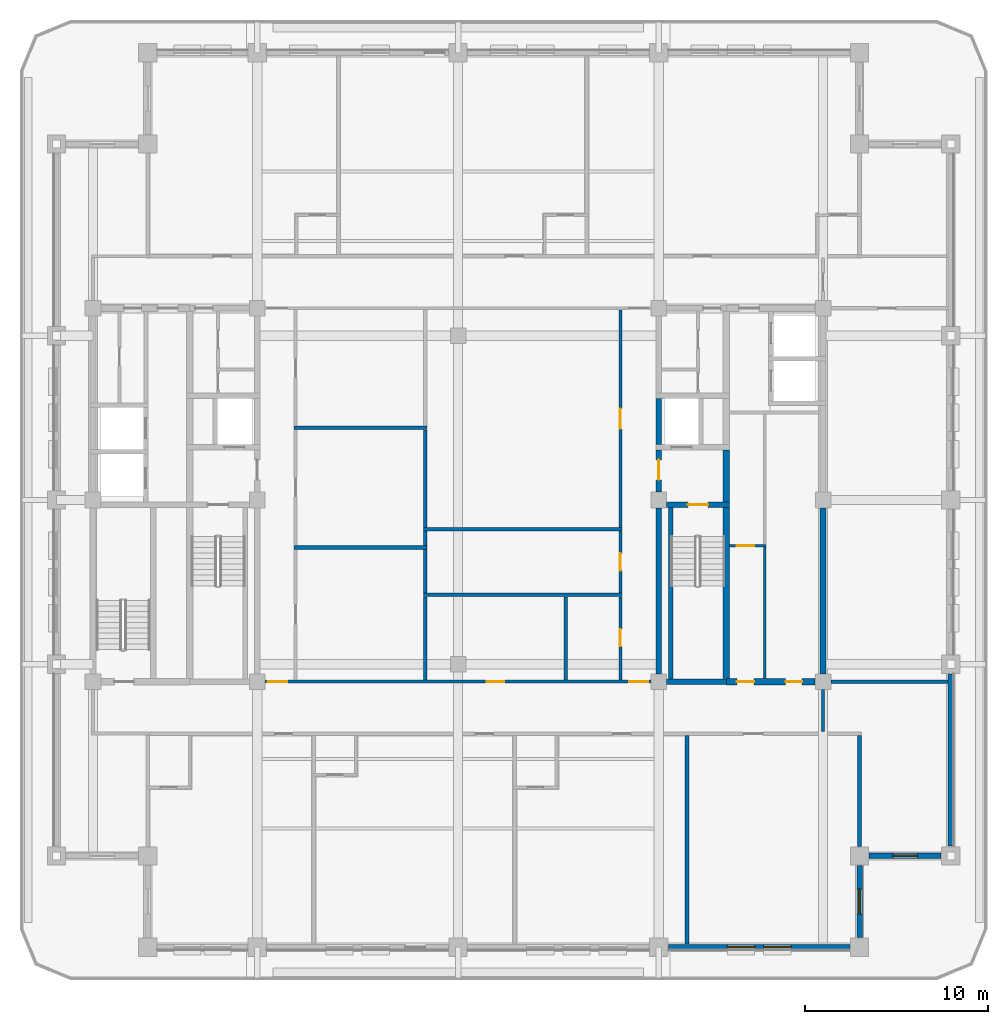
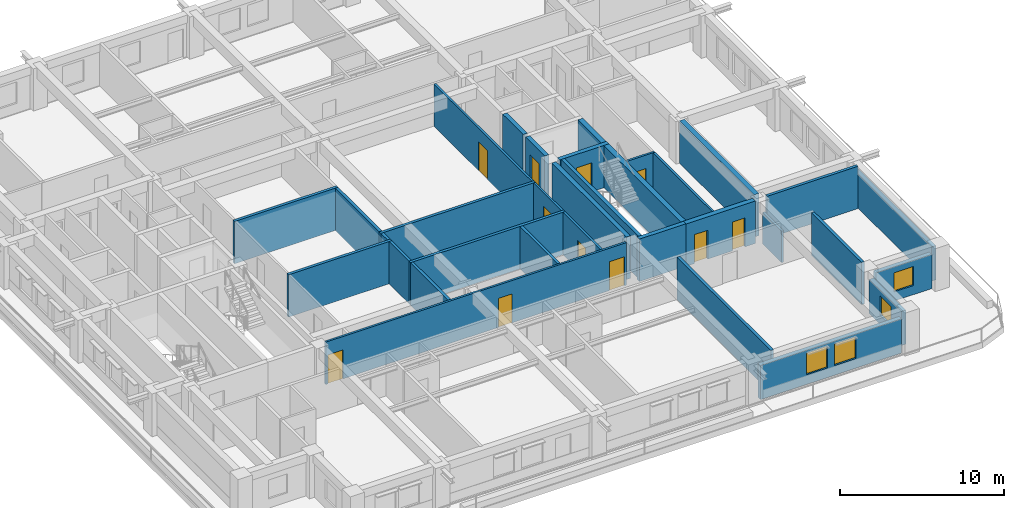
# One storey, part 4 of 13: 33 walls, 11 doors, 4 windows, 15 openings.
"""IFC4 building model written with IfcOpenShell, lengths in metres."""

from ifc_helpers import new_model, si_unit, direction, frame, frame_2d, origin, place, context, subcontext, project, spatial, rectangle, extrude, material, layer, layer_set, type_object, element, fill, save


model = new_model("IFC4")

# Units and contexts
model_context = context("Model", 3, precision=1e-05, world=origin(), true_north=direction((0.0, 1.0)))
body_context = subcontext(model_context, "Body", "Model", "MODEL_VIEW")
ifc_project = project(units=[si_unit("LENGTHUNIT", "METRE"), si_unit("AREAUNIT", "SQUARE_METRE"), si_unit("VOLUMEUNIT", "CUBIC_METRE"), si_unit("PLANEANGLEUNIT", "RADIAN"), si_unit("MASSUNIT", "GRAM", prefix="KILO")], contexts=[model_context])

# Site, building, storey
site_placement = place(None, origin())
site = spatial("IfcSite", under=ifc_project, at=site_placement, CompositionType="ELEMENT")
building_placement = place(site_placement, origin())
building = spatial("IfcBuilding", under=site, at=building_placement, Name="Zulmaris Gate Convention Tower", CompositionType="ELEMENT")
storey_placement = place(building_placement, frame((0.0, 0.0, 176.259765625)))
storey = spatial("IfcBuildingStorey", under=building, at=storey_placement, Name="L45", CompositionType="ELEMENT", Elevation=176.259765625)

# Walls
ifc_material_1 = material(Name="Concrete C50/60", Category="concrete")
ifc_layer_1 = layer(ifc_material_1, 0.25, Name="Concrete C50/60")
ifc_layer_set_1 = layer_set([ifc_layer_1], Name="Concrete C50/60")
wall_type_1 = type_object("IfcWallType", Name="CORE-250", PredefinedType="SOLIDWALL", material=ifc_layer_set_1)
wall_1_placement = place(storey_placement, frame((11.64990234375, -9.798095703125, 0.0), z_axis=(0.0, 0.0, 1.0), x_axis=(0.0, 1.0, 0.0)))
element("IfcWall", 1, at=wall_1_placement, inside=storey, type_object=wall_type_1, Name="WL-L45-063", PredefinedType="SOLIDWALL", context=body_context, shape_type="SweptSolid", body=[
    extrude(rectangle(XDim=9.39599609375, YDim=0.25, at=frame_2d((4.697998046875, 0.0))), origin(), (0.0, 0.0, 1.0), 3.150146484375),
])
ifc_layer_2 = layer(ifc_material_1, 0.300048828125, Name="Concrete C50/60")
ifc_layer_set_2 = layer_set([ifc_layer_2], Name="Concrete C50/60")
wall_type_2 = type_object("IfcWallType", Name="CORE-300", PredefinedType="SHEAR", material=ifc_layer_set_2)
wall_2_placement = place(storey_placement, frame((11.428955078125, -9.949951171875, 0.0), z_axis=(0.0, 0.0, 1.0), x_axis=(1.0, 0.0, 0.0)))
element("IfcWall", 2, at=wall_2_placement, inside=storey, type_object=wall_type_2, Name="WL-L45-003", PredefinedType="SHEAR", context=body_context, shape_type="SweptSolid", body=[
    extrude(rectangle(XDim=3.27099609375, YDim=0.300048828125, at=frame_2d((1.635498046875, 0.0))), origin(), (0.0, 0.0, 1.0), 3.150146484375),
])

# Wall, opening, door
wall_3_placement = place(storey_placement, frame((11.428955078125, -0.25, 0.0), z_axis=(0.0, 0.0, 1.0), x_axis=(1.0, 0.0, 0.0)))
wall_3 = element("IfcWall", 3, at=wall_3_placement, inside=storey, type_object=wall_type_2, Name="WL-L45-006", PredefinedType="SHEAR", context=body_context, shape_type="SweptSolid", body=[
    extrude(rectangle(XDim=3.446044921875, YDim=0.300048828125, at=frame_2d((1.72314453125, 0.0))), origin(), (0.0, 0.0, 1.0), 3.150146484375),
])
opening_1_placement = place(wall_3_placement, frame((1.1708984375, 0.0, 0.0)))
opening_1 = element("IfcOpeningElement", 4, at=opening_1_placement, cuts=wall_3, Name="Opening D-08", PredefinedType="OPENING", context=body_context, shape_type="SweptSolid", body=[
    extrude(rectangle(XDim=1.10009765625, YDim=2.14990234375, at=frame_2d((0.550048828125, 1.074951171875))), frame((0.0, 0.16015625, 0.0), z_axis=(0.0, -1.0, 0.0), x_axis=(1.0, 0.0, 0.0)), (0.0, 0.0, 1.0), 0.320068359375),
])
ifc_material_2 = material(Name="Fire-Rated Steel", Category="steel")
door_type_1 = type_object("IfcDoorType", Name="DR-1100-FD", OperationType="NOTDEFINED", PredefinedType="DOOR", material=ifc_material_2)
door_1_placement = place(opening_1_placement, origin())
door_1 = element("IfcDoor", 5, at=door_1_placement, inside=storey, type_object=door_type_1, Name="L45 Exit Stair ST-2 Door 04", OperationType="SINGLE_SWING_RIGHT", OverallHeight=2.14990234375, OverallWidth=1.10009765625, PredefinedType="DOOR", context=body_context, shape_type="SweptSolid", body=[
    extrude(rectangle(XDim=1.10009765625, YDim=2.14990234375, at=frame_2d((0.550048828125, 1.074951171875))), frame((0.0, 0.02490234375, 0.0), z_axis=(0.0, -1.0, 0.0), x_axis=(1.0, 0.0, 0.0)), (0.0, 0.0, 1.0), 0.050048828125),
])
fill(opening_1, door_1)

# Wall
wall_4_placement = place(storey_placement, frame((11.0, -9.52099609375, 0.0), z_axis=(0.0, 0.0, 1.0), x_axis=(0.0, 1.0, 0.0)))
element("IfcWall", 6, at=wall_4_placement, inside=storey, type_object=wall_type_2, Name="WL-L45-059", PredefinedType="SHEAR", context=body_context, shape_type="SweptSolid", body=[
    extrude(rectangle(XDim=9.092041015625, YDim=0.300048828125, at=frame_2d((4.5458984375, 0.0))), origin(), (0.0, 0.0, 1.0), 3.150146484375),
])

# Wall, opening, door
wall_5_placement = place(storey_placement, frame((11.0, 0.428955078125, 0.0), z_axis=(0.0, 0.0, 1.0), x_axis=(0.0, 1.0, 0.0)))
wall_5 = element("IfcWall", 7, at=wall_5_placement, inside=storey, type_object=wall_type_2, Name="WL-L45-060", PredefinedType="SHEAR", context=body_context, shape_type="SweptSolid", body=[
    extrude(rectangle(XDim=2.319091796875, YDim=0.300048828125, at=frame_2d((1.15966796875, 0.0))), origin(), (0.0, 0.0, 1.0), 3.150146484375),
])
opening_2_placement = place(wall_5_placement, frame((0.6708984375, 0.0, 0.0)))
opening_2 = element("IfcOpeningElement", 8, at=opening_2_placement, cuts=wall_5, Name="Opening D-08", PredefinedType="OPENING", context=body_context, shape_type="SweptSolid", body=[
    extrude(rectangle(XDim=1.10009765625, YDim=2.14990234375, at=frame_2d((0.550048828125, 1.074951171875))), frame((0.0, 0.16015625, 0.0), z_axis=(0.0, -1.0, 0.0), x_axis=(1.0, 0.0, 0.0)), (0.0, 0.0, 1.0), 0.320068359375),
])
door_2_placement = place(opening_2_placement, origin())
door_2 = element("IfcDoor", 9, at=door_2_placement, inside=storey, type_object=door_type_1, Name="L45 East Firefighting Lobby Door 05", OperationType="SINGLE_SWING_LEFT", OverallHeight=2.14990234375, OverallWidth=1.10009765625, PredefinedType="DOOR", context=body_context, shape_type="SweptSolid", body=[
    extrude(rectangle(XDim=1.10009765625, YDim=2.14990234375, at=frame_2d((0.550048828125, 1.074951171875))), frame((0.0, 0.02490234375, 0.0), z_axis=(0.0, -1.0, 0.0), x_axis=(1.0, 0.0, 0.0)), (0.0, 0.0, 1.0), 0.050048828125),
])
fill(opening_2, door_2)

# Wall
wall_6_placement = place(storey_placement, frame((11.0, 3.052001953125, 0.0), z_axis=(0.0, 0.0, 1.0), x_axis=(0.0, 1.0, 0.0)))
element("IfcWall", 10, at=wall_6_placement, inside=storey, type_object=wall_type_2, Name="WL-L45-061", PredefinedType="SHEAR", context=body_context, shape_type="SweptSolid", body=[
    extrude(rectangle(XDim=2.49609375, YDim=0.300048828125, at=frame_2d((1.248046875, 0.0))), origin(), (0.0, 0.0, 1.0), 3.150146484375),
])

# Wall, openings, doors
ifc_material_3 = material(Name="Concrete C55/67", Category="concrete")
ifc_layer_3 = layer(ifc_material_3, 0.35009765625, Name="Concrete C55/67")
ifc_layer_set_3 = layer_set([ifc_layer_3], Name="Concrete C55/67")
wall_type_3 = type_object("IfcWallType", Name="CORE-350", PredefinedType="SHEAR", material=ifc_layer_set_3)
wall_7_placement = place(storey_placement, frame((14.699951171875, -9.949951171875, 0.0), z_axis=(0.0, 0.0, 1.0), x_axis=(1.0, 0.0, 0.0)))
wall_7 = element("IfcWall", 11, at=wall_7_placement, inside=storey, type_object=wall_type_3, Name="WL-L45-004", PredefinedType="SHEAR", context=body_context, shape_type="SweptSolid", body=[
    extrude(rectangle(XDim=4.87109375, YDim=0.35009765625, at=frame_2d((2.435546875, 0.0))), origin(), (0.0, 0.0, 1.0), 3.150146484375),
])
opening_3_placement = place(wall_7_placement, frame((3.25, 0.0, 0.0)))
opening_3 = element("IfcOpeningElement", 12, at=opening_3_placement, cuts=wall_7, Name="Opening D-12", PredefinedType="OPENING", context=body_context, shape_type="SweptSolid", body=[
    extrude(rectangle(XDim=0.89990234375, YDim=2.14990234375, at=frame_2d((0.449951171875, 1.074951171875))), frame((0.0, 0.18505859375, 0.0), z_axis=(0.0, -1.0, 0.0), x_axis=(1.0, 0.0, 0.0)), (0.0, 0.0, 1.0), 0.3701171875),
])
opening_4_placement = place(wall_7_placement, frame((0.574951171875, 0.0, 0.0)))
opening_4 = element("IfcOpeningElement", 13, at=opening_4_placement, cuts=wall_7, Name="Opening D-11", PredefinedType="OPENING", context=body_context, shape_type="SweptSolid", body=[
    extrude(rectangle(XDim=0.949951171875, YDim=2.14990234375, at=frame_2d((0.47509765625, 1.074951171875))), frame((0.0, 0.18505859375, 0.0), z_axis=(0.0, -1.0, 0.0), x_axis=(1.0, 0.0, 0.0)), (0.0, 0.0, 1.0), 0.3701171875),
])
ifc_material_4 = material(Name="Fire-Rated Timber", Category="wood")
door_type_2 = type_object("IfcDoorType", Name="DR-900-FD", OperationType="NOTDEFINED", PredefinedType="DOOR", material=ifc_material_4)
door_3_placement = place(opening_3_placement, origin())
door_3 = element("IfcDoor", 14, at=door_3_placement, inside=storey, type_object=door_type_2, Name="L45 Core IT Room Door 22", OperationType="SINGLE_SWING_LEFT", OverallHeight=2.14990234375, OverallWidth=0.89990234375, PredefinedType="DOOR", context=body_context, shape_type="SweptSolid", body=[
    extrude(rectangle(XDim=0.89990234375, YDim=2.14990234375, at=frame_2d((0.449951171875, 1.074951171875))), frame((0.0, 0.02490234375, 0.0), z_axis=(0.0, -1.0, 0.0), x_axis=(1.0, 0.0, 0.0)), (0.0, 0.0, 1.0), 0.050048828125),
])
fill(opening_3, door_3)
door_type_3 = type_object("IfcDoorType", Name="DR-950-FD", OperationType="NOTDEFINED", PredefinedType="DOOR", material=ifc_material_4)
door_4_placement = place(opening_4_placement, origin())
door_4 = element("IfcDoor", 15, at=door_4_placement, inside=storey, type_object=door_type_3, Name="L45 Guest Pantry Door 23", OperationType="SINGLE_SWING_RIGHT", OverallHeight=2.14990234375, OverallWidth=0.949951171875, PredefinedType="DOOR", context=body_context, shape_type="SweptSolid", body=[
    extrude(rectangle(XDim=0.949951171875, YDim=2.14990234375, at=frame_2d((0.47509765625, 1.074951171875))), frame((0.0, 0.02490234375, 0.0), z_axis=(0.0, -1.0, 0.0), x_axis=(1.0, 0.0, 0.0)), (0.0, 0.0, 1.0), 0.050048828125),
])
fill(opening_4, door_4)

# Walls
wall_8_placement = place(storey_placement, frame((14.699951171875, -9.77294921875, 0.0), z_axis=(0.0, 0.0, 1.0), x_axis=(0.0, 1.0, 0.0)))
element("IfcWall", 16, at=wall_8_placement, inside=storey, type_object=wall_type_3, Name="WL-L45-065", PredefinedType="SHEAR", context=body_context, shape_type="SweptSolid", body=[
    extrude(rectangle(XDim=9.370849609375, YDim=0.35009765625, at=frame_2d((4.685546875, 0.0))), origin(), (0.0, 0.0, 1.0), 3.150146484375),
])
wall_9_placement = place(storey_placement, frame((14.699951171875, -0.097900390625, 0.0), z_axis=(0.0, 0.0, 1.0), x_axis=(0.0, 1.0, 0.0)))
element("IfcWall", 17, at=wall_9_placement, inside=storey, type_object=wall_type_3, Name="WL-L45-066", PredefinedType="SHEAR", context=body_context, shape_type="SweptSolid", body=[
    extrude(rectangle(XDim=2.845947265625, YDim=0.35009765625, at=frame_2d((1.4228515625, 0.0))), origin(), (0.0, 0.0, 1.0), 3.150146484375),
])
wall_10_placement = place(storey_placement, frame((20.0, -9.52099609375, 0.0), z_axis=(0.0, 0.0, 1.0), x_axis=(0.0, 1.0, 0.0)))
element("IfcWall", 18, at=wall_10_placement, inside=storey, type_object=wall_type_3, Name="WL-L45-071", PredefinedType="SHEAR", context=body_context, shape_type="SweptSolid", body=[
    extrude(rectangle(XDim=9.092041015625, YDim=0.35009765625, at=frame_2d((4.5458984375, 0.0))), origin(), (0.0, 0.0, 1.0), 3.150146484375),
])

# Wall, openings, doors
ifc_material_5 = material(Name="Gypsum Metal Stud Partition")
ifc_layer_4 = layer(ifc_material_5, 0.14990234375, Name="Gypsum Metal Stud Partition")
ifc_layer_set_4 = layer_set([ifc_layer_4], Name="Gypsum Metal Stud Partition")
wall_type_4 = type_object("IfcWallType", Name="PART-150", PredefinedType="PARTITIONING", material=ifc_layer_set_4)
wall_11_placement = place(storey_placement, frame((-10.569091796875, -9.949951171875, 0.0), z_axis=(0.0, 0.0, 1.0), x_axis=(1.0, 0.0, 0.0)))
wall_11 = element("IfcWall", 19, at=wall_11_placement, inside=storey, type_object=wall_type_4, Name="WL-L45-024", PredefinedType="PARTITIONING", context=body_context, shape_type="SweptSolid", body=[
    extrude(rectangle(XDim=21.13818359375, YDim=0.14990234375, at=frame_2d((10.569091796875, 0.0))), origin(), (0.0, 0.0, 1.0), 3.150146484375),
])
opening_5_placement = place(wall_11_placement, frame((0.14990234375, 0.0, 0.0)))
opening_5 = element("IfcOpeningElement", 20, at=opening_5_placement, cuts=wall_11, Name="Opening D-09", PredefinedType="OPENING", context=body_context, shape_type="SweptSolid", body=[
    extrude(rectangle(XDim=1.050048828125, YDim=2.14990234375, at=frame_2d((0.52490234375, 1.074951171875))), frame((0.0, 0.0849609375, 0.0), z_axis=(0.0, -1.0, 0.0), x_axis=(1.0, 0.0, 0.0)), (0.0, 0.0, 1.0), 0.169921875),
])
opening_6_placement = place(wall_11_placement, frame((19.93798828125, 0.0, 0.0)))
opening_6 = element("IfcOpeningElement", 21, at=opening_6_placement, cuts=wall_11, Name="Opening D-09", PredefinedType="OPENING", context=body_context, shape_type="SweptSolid", body=[
    extrude(rectangle(XDim=1.050048828125, YDim=2.14990234375, at=frame_2d((0.52490234375, 1.074951171875))), frame((0.0, 0.0849609375, 0.0), z_axis=(0.0, -1.0, 0.0), x_axis=(1.0, 0.0, 0.0)), (0.0, 0.0, 1.0), 0.169921875),
])
opening_7_placement = place(wall_11_placement, frame((12.14404296875, 0.0, 0.0)))
opening_7 = element("IfcOpeningElement", 22, at=opening_7_placement, cuts=wall_11, Name="Opening D-11", PredefinedType="OPENING", context=body_context, shape_type="SweptSolid", body=[
    extrude(rectangle(XDim=0.949951171875, YDim=2.14990234375, at=frame_2d((0.47509765625, 1.074951171875))), frame((0.0, 0.0849609375, 0.0), z_axis=(0.0, -1.0, 0.0), x_axis=(1.0, 0.0, 0.0)), (0.0, 0.0, 1.0), 0.169921875),
])
door_type_4 = type_object("IfcDoorType", Name="DR-1050-FD", OperationType="NOTDEFINED", PredefinedType="DOOR", material=ifc_material_2)
door_5_placement = place(opening_5_placement, origin())
door_5 = element("IfcDoor", 23, at=door_5_placement, inside=storey, type_object=door_type_4, Name="L45 SW Hotel Loop Door 26", OperationType="SINGLE_SWING_LEFT", OverallHeight=2.14990234375, OverallWidth=1.050048828125, PredefinedType="DOOR", context=body_context, shape_type="SweptSolid", body=[
    extrude(rectangle(XDim=1.050048828125, YDim=2.14990234375, at=frame_2d((0.52490234375, 1.074951171875))), frame((0.0, 0.02490234375, 0.0), z_axis=(0.0, -1.0, 0.0), x_axis=(1.0, 0.0, 0.0)), (0.0, 0.0, 1.0), 0.050048828125),
])
fill(opening_5, door_5)
door_6_placement = place(opening_6_placement, origin())
door_6 = element("IfcDoor", 24, at=door_6_placement, inside=storey, type_object=door_type_4, Name="L45 SE Hotel Loop Door 28", OperationType="SINGLE_SWING_LEFT", OverallHeight=2.14990234375, OverallWidth=1.050048828125, PredefinedType="DOOR", context=body_context, shape_type="SweptSolid", body=[
    extrude(rectangle(XDim=1.050048828125, YDim=2.14990234375, at=frame_2d((0.52490234375, 1.074951171875))), frame((0.0, 0.02490234375, 0.0), z_axis=(0.0, -1.0, 0.0), x_axis=(1.0, 0.0, 0.0)), (0.0, 0.0, 1.0), 0.050048828125),
])
fill(opening_6, door_6)
door_7_placement = place(opening_7_placement, origin())
door_7 = element("IfcDoor", 25, at=door_7_placement, inside=storey, type_object=door_type_3, Name="L45 Staging Store Door 48", OperationType="SINGLE_SWING_LEFT", OverallHeight=2.14990234375, OverallWidth=0.949951171875, PredefinedType="DOOR", context=body_context, shape_type="SweptSolid", body=[
    extrude(rectangle(XDim=0.949951171875, YDim=2.14990234375, at=frame_2d((0.47509765625, 1.074951171875))), frame((0.0, 0.02490234375, 0.0), z_axis=(0.0, -1.0, 0.0), x_axis=(1.0, 0.0, 0.0)), (0.0, 0.0, 1.0), 0.050048828125),
])
fill(opening_7, door_7)

# Wall, opening, door
wall_12_placement = place(storey_placement, frame((14.8779296875, -2.5, 0.0), z_axis=(0.0, 0.0, 1.0), x_axis=(1.0, 0.0, 0.0)))
wall_12 = element("IfcWall", 26, at=wall_12_placement, inside=storey, type_object=wall_type_4, Name="WL-L45-028", PredefinedType="PARTITIONING", context=body_context, shape_type="SweptSolid", body=[
    extrude(rectangle(XDim=1.9970703125, YDim=0.14990234375, at=frame_2d((0.99853515625, 0.0))), origin(), (0.0, 0.0, 1.0), 3.150146484375),
])
opening_8_placement = place(wall_12_placement, frame((0.39697265625, 0.0, 0.0)))
opening_8 = element("IfcOpeningElement", 27, at=opening_8_placement, cuts=wall_12, Name="Opening D-11", PredefinedType="OPENING", context=body_context, shape_type="SweptSolid", body=[
    extrude(rectangle(XDim=0.949951171875, YDim=2.14990234375, at=frame_2d((0.47509765625, 1.074951171875))), frame((0.0, 0.0849609375, 0.0), z_axis=(0.0, -1.0, 0.0), x_axis=(1.0, 0.0, 0.0)), (0.0, 0.0, 1.0), 0.169921875),
])
door_8_placement = place(opening_8_placement, origin())
door_8 = element("IfcDoor", 28, at=door_8_placement, inside=storey, type_object=door_type_3, Name="L45 Supply Closet Door 24", OperationType="SINGLE_SWING_LEFT", OverallHeight=2.14990234375, OverallWidth=0.949951171875, PredefinedType="DOOR", context=body_context, shape_type="SweptSolid", body=[
    extrude(rectangle(XDim=0.949951171875, YDim=2.14990234375, at=frame_2d((0.47509765625, 1.074951171875))), frame((0.0, 0.02490234375, 0.0), z_axis=(0.0, -1.0, 0.0), x_axis=(1.0, 0.0, 0.0)), (0.0, 0.0, 1.0), 0.050048828125),
])
fill(opening_8, door_8)

wall_13_placement = place(storey_placement, frame((8.89990234375, -9.8720703125, 0.0), z_axis=(0.0, 0.0, 1.0), x_axis=(0.0, 1.0, 0.0)))
wall_13 = element("IfcWall", 29, at=wall_13_placement, inside=storey, type_object=wall_type_4, Name="WL-L45-105", PredefinedType="PARTITIONING", context=body_context, shape_type="SweptSolid", body=[
    extrude(rectangle(XDim=4.569091796875, YDim=0.14990234375, at=frame_2d((2.28466796875, 0.0))), origin(), (0.0, 0.0, 1.0), 3.150146484375),
])
opening_9_placement = place(wall_13_placement, frame((1.846923828125, 0.0, 0.0)))
opening_9 = element("IfcOpeningElement", 30, at=opening_9_placement, cuts=wall_13, Name="Opening D-11", PredefinedType="OPENING", context=body_context, shape_type="SweptSolid", body=[
    extrude(rectangle(XDim=0.949951171875, YDim=2.14990234375, at=frame_2d((0.47509765625, 1.074951171875))), frame((0.0, 0.0849609375, 0.0), z_axis=(0.0, -1.0, 0.0), x_axis=(1.0, 0.0, 0.0)), (0.0, 0.0, 1.0), 0.169921875),
])
door_9_placement = place(opening_9_placement, origin())
door_9 = element("IfcDoor", 31, at=door_9_placement, inside=storey, type_object=door_type_3, Name="L45 Accessible WC Door 47", OperationType="SINGLE_SWING_RIGHT", OverallHeight=2.14990234375, OverallWidth=0.949951171875, PredefinedType="DOOR", context=body_context, shape_type="SweptSolid", body=[
    extrude(rectangle(XDim=0.949951171875, YDim=2.14990234375, at=frame_2d((0.47509765625, 1.074951171875))), frame((0.0, 0.02490234375, 0.0), z_axis=(0.0, -1.0, 0.0), x_axis=(1.0, 0.0, 0.0)), (0.0, 0.0, 1.0), 0.050048828125),
])
fill(opening_9, door_9)

wall_14_placement = place(storey_placement, frame((8.89990234375, -5.096923828125, 0.0), z_axis=(0.0, 0.0, 1.0), x_axis=(0.0, 1.0, 0.0)))
wall_14 = element("IfcWall", 32, at=wall_14_placement, inside=storey, type_object=wall_type_4, Name="WL-L45-106", PredefinedType="PARTITIONING", context=body_context, shape_type="SweptSolid", body=[
    extrude(rectangle(XDim=3.39404296875, YDim=0.14990234375, at=frame_2d((1.697021484375, 0.0))), origin(), (0.0, 0.0, 1.0), 3.150146484375),
])
opening_10_placement = place(wall_14_placement, frame((1.221923828125, 0.0, 0.0)))
opening_10 = element("IfcOpeningElement", 33, at=opening_10_placement, cuts=wall_14, Name="Opening D-11", PredefinedType="OPENING", context=body_context, shape_type="SweptSolid", body=[
    extrude(rectangle(XDim=0.949951171875, YDim=2.14990234375, at=frame_2d((0.47509765625, 1.074951171875))), frame((0.0, 0.0849609375, 0.0), z_axis=(0.0, -1.0, 0.0), x_axis=(1.0, 0.0, 0.0)), (0.0, 0.0, 1.0), 0.169921875),
])
door_10_placement = place(opening_10_placement, origin())
door_10 = element("IfcDoor", 34, at=door_10_placement, inside=storey, type_object=door_type_3, Name="L45 Public WC Door 46", OperationType="SINGLE_SWING_LEFT", OverallHeight=2.14990234375, OverallWidth=0.949951171875, PredefinedType="DOOR", context=body_context, shape_type="SweptSolid", body=[
    extrude(rectangle(XDim=0.949951171875, YDim=2.14990234375, at=frame_2d((0.47509765625, 1.074951171875))), frame((0.0, 0.02490234375, 0.0), z_axis=(0.0, -1.0, 0.0), x_axis=(1.0, 0.0, 0.0)), (0.0, 0.0, 1.0), 0.050048828125),
])
fill(opening_10, door_10)

wall_15_placement = place(storey_placement, frame((8.89990234375, -1.4970703125, 0.0), z_axis=(0.0, 0.0, 1.0), x_axis=(0.0, 1.0, 0.0)))
wall_15 = element("IfcWall", 35, at=wall_15_placement, inside=storey, type_object=wall_type_4, Name="WL-L45-107", PredefinedType="PARTITIONING", context=body_context, shape_type="SweptSolid", body=[
    extrude(rectangle(XDim=11.919189453125, YDim=0.14990234375, at=frame_2d((5.95947265625, 0.0))), origin(), (0.0, 0.0, 1.0), 3.150146484375),
])
opening_11_placement = place(wall_15_placement, frame((5.39697265625, 0.0, 0.0)))
opening_11 = element("IfcOpeningElement", 36, at=opening_11_placement, cuts=wall_15, Name="Opening D-08", PredefinedType="OPENING", context=body_context, shape_type="SweptSolid", body=[
    extrude(rectangle(XDim=1.10009765625, YDim=2.14990234375, at=frame_2d((0.550048828125, 1.074951171875))), frame((0.0, 0.0849609375, 0.0), z_axis=(0.0, -1.0, 0.0), x_axis=(1.0, 0.0, 0.0)), (0.0, 0.0, 1.0), 0.169921875),
])
door_11_placement = place(opening_11_placement, origin())
door_11 = element("IfcDoor", 37, at=door_11_placement, inside=storey, type_object=door_type_1, Name="L45 Breakout Room Door 45", OperationType="SINGLE_SWING_RIGHT", OverallHeight=2.14990234375, OverallWidth=1.10009765625, PredefinedType="DOOR", context=body_context, shape_type="SweptSolid", body=[
    extrude(rectangle(XDim=1.10009765625, YDim=2.14990234375, at=frame_2d((0.550048828125, 1.074951171875))), frame((0.0, 0.02490234375, 0.0), z_axis=(0.0, -1.0, 0.0), x_axis=(1.0, 0.0, 0.0)), (0.0, 0.0, 1.0), 0.050048828125),
])
fill(opening_11, door_11)

# Walls
wall_16_placement = place(storey_placement, frame((16.800048828125, -9.77197265625, 0.0), z_axis=(0.0, 0.0, 1.0), x_axis=(0.0, 1.0, 0.0)))
element("IfcWall", 38, at=wall_16_placement, inside=storey, type_object=wall_type_4, Name="WL-L45-111", PredefinedType="PARTITIONING", context=body_context, shape_type="SweptSolid", body=[
    extrude(rectangle(XDim=7.194091796875, YDim=0.14990234375, at=frame_2d((3.59716796875, 0.0))), origin(), (0.0, 0.0, 1.0), 3.150146484375),
])
wall_17_placement = place(storey_placement, frame((20.0, -12.697021484375, 0.0), z_axis=(0.0, 0.0, 1.0), x_axis=(0.0, 1.0, 0.0)))
element("IfcWall", 39, at=wall_17_placement, inside=storey, type_object=wall_type_4, Name="WL-L45-114", PredefinedType="PARTITIONING", context=body_context, shape_type="SweptSolid", body=[
    extrude(rectangle(XDim=2.31591796875, YDim=0.14990234375, at=frame_2d((1.157958984375, 0.0))), origin(), (0.0, 0.0, 1.0), 2.342041015625),
])
ifc_material_6 = material(Name="Autoclaved Aerated Concrete Block and Plasterboard", Category="concrete")
ifc_layer_5 = layer(ifc_material_6, 0.199951171875, Name="Autoclaved Aerated Concrete Block and Plasterboard")
ifc_layer_set_5 = layer_set([ifc_layer_5], Name="Autoclaved Aerated Concrete Block and Plasterboard")
wall_type_5 = type_object("IfcWallType", Name="PART-200", PredefinedType="PARTITIONING", material=ifc_layer_set_5)
wall_18_placement = place(storey_placement, frame((20.430908203125, -9.949951171875, 0.0), z_axis=(0.0, 0.0, 1.0), x_axis=(1.0, 0.0, 0.0)))
element("IfcWall", 40, at=wall_18_placement, inside=storey, type_object=wall_type_5, Name="WL-L45-025", PredefinedType="PARTITIONING", context=body_context, shape_type="SweptSolid", body=[
    extrude(rectangle(XDim=6.404052734375, YDim=0.199951171875, at=frame_2d((3.2021484375, 0.0))), origin(), (0.0, 0.0, 1.0), 3.150146484375),
])
wall_19_placement = place(storey_placement, frame((-1.89990234375, -5.199951171875, 0.0), z_axis=(0.0, 0.0, 1.0), x_axis=(1.0, 0.0, 0.0)))
element("IfcWall", 41, at=wall_19_placement, inside=storey, type_object=wall_type_5, Name="WL-L45-026", PredefinedType="PARTITIONING", context=body_context, shape_type="SweptSolid", body=[
    extrude(rectangle(XDim=10.875, YDim=0.199951171875, at=frame_2d((5.4375, 0.0))), origin(), (0.0, 0.0, 1.0), 3.150146484375),
])
wall_20_placement = place(storey_placement, frame((-8.97509765625, -2.60009765625, 0.0), z_axis=(0.0, 0.0, 1.0), x_axis=(1.0, 0.0, 0.0)))
element("IfcWall", 42, at=wall_20_placement, inside=storey, type_object=wall_type_5, Name="WL-L45-027", PredefinedType="PARTITIONING", context=body_context, shape_type="SweptSolid", body=[
    extrude(rectangle(XDim=7.275146484375, YDim=0.199951171875, at=frame_2d((3.6376953125, 0.0))), origin(), (0.0, 0.0, 1.0), 3.150146484375),
])
wall_21_placement = place(storey_placement, frame((-1.89990234375, -1.60009765625, 0.0), z_axis=(0.0, 0.0, 1.0), x_axis=(1.0, 0.0, 0.0)))
element("IfcWall", 43, at=wall_21_placement, inside=storey, type_object=wall_type_5, Name="WL-L45-029", PredefinedType="PARTITIONING", context=body_context, shape_type="SweptSolid", body=[
    extrude(rectangle(XDim=10.875, YDim=0.199951171875, at=frame_2d((5.4375, 0.0))), origin(), (0.0, 0.0, 1.0), 3.150146484375),
])
wall_22_placement = place(storey_placement, frame((-8.97509765625, 3.949951171875, 0.0), z_axis=(0.0, 0.0, 1.0), x_axis=(1.0, 0.0, 0.0)))
element("IfcWall", 44, at=wall_22_placement, inside=storey, type_object=wall_type_5, Name="WL-L45-030", PredefinedType="PARTITIONING", context=body_context, shape_type="SweptSolid", body=[
    extrude(rectangle(XDim=7.275146484375, YDim=0.199951171875, at=frame_2d((3.6376953125, 0.0))), origin(), (0.0, 0.0, 1.0), 3.150146484375),
])
wall_23_placement = place(storey_placement, frame((-1.800048828125, -9.8720703125, 0.0), z_axis=(0.0, 0.0, 1.0), x_axis=(0.0, 1.0, 0.0)))
element("IfcWall", 45, at=wall_23_placement, inside=storey, type_object=wall_type_5, Name="WL-L45-093", PredefinedType="PARTITIONING", context=body_context, shape_type="SweptSolid", body=[
    extrude(rectangle(XDim=4.569091796875, YDim=0.199951171875, at=frame_2d((2.28466796875, 0.0))), origin(), (0.0, 0.0, 1.0), 3.150146484375),
])
wall_24_placement = place(storey_placement, frame((-1.800048828125, -5.096923828125, 0.0), z_axis=(0.0, 0.0, 1.0), x_axis=(0.0, 1.0, 0.0)))
element("IfcWall", 46, at=wall_24_placement, inside=storey, type_object=wall_type_5, Name="WL-L45-094", PredefinedType="PARTITIONING", context=body_context, shape_type="SweptSolid", body=[
    extrude(rectangle(XDim=2.39404296875, YDim=0.199951171875, at=frame_2d((1.197021484375, 0.0))), origin(), (0.0, 0.0, 1.0), 3.150146484375),
])
wall_25_placement = place(storey_placement, frame((-1.800048828125, -2.4970703125, 0.0), z_axis=(0.0, 0.0, 1.0), x_axis=(0.0, 1.0, 0.0)))
element("IfcWall", 47, at=wall_25_placement, inside=storey, type_object=wall_type_5, Name="WL-L45-095", PredefinedType="PARTITIONING", context=body_context, shape_type="SweptSolid", body=[
    extrude(rectangle(XDim=0.794189453125, YDim=0.199951171875, at=frame_2d((0.39697265625, 0.0))), origin(), (0.0, 0.0, 1.0), 3.150146484375),
])
wall_26_placement = place(storey_placement, frame((-1.800048828125, -1.4970703125, 0.0), z_axis=(0.0, 0.0, 1.0), x_axis=(0.0, 1.0, 0.0)))
element("IfcWall", 48, at=wall_26_placement, inside=storey, type_object=wall_type_5, Name="WL-L45-096", PredefinedType="PARTITIONING", context=body_context, shape_type="SweptSolid", body=[
    extrude(rectangle(XDim=5.343994140625, YDim=0.199951171875, at=frame_2d((2.671875, 0.0))), origin(), (0.0, 0.0, 1.0), 3.150146484375),
])
wall_27_placement = place(storey_placement, frame((5.89990234375, -9.8720703125, 0.0), z_axis=(0.0, 0.0, 1.0), x_axis=(0.0, 1.0, 0.0)))
element("IfcWall", 49, at=wall_27_placement, inside=storey, type_object=wall_type_5, Name="WL-L45-102", PredefinedType="PARTITIONING", context=body_context, shape_type="SweptSolid", body=[
    extrude(rectangle(XDim=4.569091796875, YDim=0.199951171875, at=frame_2d((2.28466796875, 0.0))), origin(), (0.0, 0.0, 1.0), 3.150146484375),
])
wall_28_placement = place(storey_placement, frame((12.550048828125, -24.3349609375, 0.0), z_axis=(0.0, 0.0, 1.0), x_axis=(0.0, 1.0, 0.0)))
element("IfcWall", 50, at=wall_28_placement, inside=storey, type_object=wall_type_5, Name="WL-L45-108", PredefinedType="PARTITIONING", context=body_context, shape_type="SweptSolid", body=[
    extrude(rectangle(XDim=11.431884765625, YDim=0.199951171875, at=frame_2d((5.7158203125, 0.0))), origin(), (0.0, 0.0, 1.0), 3.150146484375),
])
wall_29_placement = place(storey_placement, frame((22.0, -18.993896484375, 0.0), z_axis=(0.0, 0.0, 1.0), x_axis=(0.0, 1.0, 0.0)))
element("IfcWall", 51, at=wall_29_placement, inside=storey, type_object=wall_type_5, Name="WL-L45-116", PredefinedType="PARTITIONING", context=body_context, shape_type="SweptSolid", body=[
    extrude(rectangle(XDim=6.0908203125, YDim=0.199951171875, at=frame_2d((3.04541015625, 0.0))), origin(), (0.0, 0.0, 1.0), 3.150146484375),
])

# Wall, opening, window
ifc_material_7 = material(Name="Precast concrete C40/50", Category="concrete")
ifc_layer_6 = layer(ifc_material_7, 0.300048828125, Name="Precast concrete C40/50")
ifc_layer_set_6 = layer_set([ifc_layer_6], Name="Precast concrete C40/50")
wall_type_6 = type_object("IfcWallType", Name="PRECAST-PIER-300", PredefinedType="STANDARD", material=ifc_layer_set_6)
wall_30_placement = place(storey_placement, frame((22.0, -23.969970703125, 0.0), z_axis=(0.0, 0.0, 1.0), x_axis=(0.0, 1.0, 0.0)))
wall_30 = element("IfcWall", 52, at=wall_30_placement, inside=storey, type_object=wall_type_6, Name="EW-L45-NOTCH-SE1_0", PredefinedType="STANDARD", context=body_context, shape_type="SweptSolid", body=[
    extrude(rectangle(XDim=3.93994140625, YDim=0.300048828125, at=frame_2d((1.969970703125, 0.0))), origin(), (0.0, 0.0, 1.0), 2.542236328125),
])
opening_12_placement = place(wall_30_placement, frame((1.294921875, 0.0, 0.679931640625)))
opening_12 = element("IfcOpeningElement", 53, at=opening_12_placement, cuts=wall_30, Name="Opening W-10", PredefinedType="OPENING", context=body_context, shape_type="SweptSolid", body=[
    extrude(rectangle(XDim=1.35009765625, YDim=1.419921875, at=frame_2d((0.675048828125, 0.7099609375))), frame((0.0, 0.16015625, 0.0), z_axis=(0.0, -1.0, 0.0), x_axis=(1.0, 0.0, 0.0)), (0.0, 0.0, 1.0), 0.320068359375),
])
ifc_material_8 = material(Name="Low-E Laminated Double Glazing in Aluminium Frame", Category="aluminium")
window_type_1 = type_object("IfcWindowType", Name="WIN-1350x2000", PartitioningType="SINGLE_PANEL", PredefinedType="WINDOW", material=ifc_material_8)
window_1_placement = place(opening_12_placement, origin())
window_1 = element("IfcWindow", 54, at=window_1_placement, inside=storey, type_object=window_type_1, Name="WN-EW-L45-NOTCH-SE1_0", OverallHeight=1.419921875, OverallWidth=1.35009765625, PartitioningType="SINGLE_PANEL", PredefinedType="WINDOW", context=body_context, shape_type="SweptSolid", body=[
    extrude(rectangle(XDim=1.35009765625, YDim=1.419921875, at=frame_2d((0.675048828125, 0.7099609375))), frame((0.0, 0.030029296875, 0.0), z_axis=(0.0, -1.0, 0.0), x_axis=(1.0, 0.0, 0.0)), (0.0, 0.0, 1.0), 0.06005859375),
])
fill(opening_12, window_1)

wall_31_placement = place(storey_placement, frame((22.530029296875, -19.5, 0.0), z_axis=(0.0, 0.0, 1.0), x_axis=(1.0, 0.0, 0.0)))
wall_31 = element("IfcWall", 55, at=wall_31_placement, inside=storey, type_object=wall_type_6, Name="EW-L45-NOTCH-SE2_0", PredefinedType="STANDARD", context=body_context, shape_type="SweptSolid", body=[
    extrude(rectangle(XDim=3.93994140625, YDim=0.300048828125, at=frame_2d((1.969970703125, 0.0))), origin(), (0.0, 0.0, 1.0), 2.542236328125),
])
opening_13_placement = place(wall_31_placement, frame((1.294921875, 0.0, 0.679931640625)))
opening_13 = element("IfcOpeningElement", 56, at=opening_13_placement, cuts=wall_31, Name="Opening W-10", PredefinedType="OPENING", context=body_context, shape_type="SweptSolid", body=[
    extrude(rectangle(XDim=1.35009765625, YDim=1.419921875, at=frame_2d((0.675048828125, 0.7099609375))), frame((0.0, 0.16015625, 0.0), z_axis=(0.0, -1.0, 0.0), x_axis=(1.0, 0.0, 0.0)), (0.0, 0.0, 1.0), 0.320068359375),
])
window_2_placement = place(opening_13_placement, origin())
window_2 = element("IfcWindow", 57, at=window_2_placement, inside=storey, type_object=window_type_1, Name="WN-EW-L45-NOTCH-SE2_0", OverallHeight=1.419921875, OverallWidth=1.35009765625, PartitioningType="SINGLE_PANEL", PredefinedType="WINDOW", context=body_context, shape_type="SweptSolid", body=[
    extrude(rectangle(XDim=1.35009765625, YDim=1.419921875, at=frame_2d((0.675048828125, 0.7099609375))), frame((0.0, 0.030029296875, 0.0), z_axis=(0.0, -1.0, 0.0), x_axis=(1.0, 0.0, 0.0)), (0.0, 0.0, 1.0), 0.06005859375),
])
fill(opening_13, window_2)

# Wall, openings, windows
wall_32_placement = place(storey_placement, frame((11.530029296875, -24.5, 0.0), z_axis=(0.0, 0.0, 1.0), x_axis=(1.0, 0.0, 0.0)))
wall_32 = element("IfcWall", 58, at=wall_32_placement, inside=storey, type_object=wall_type_6, Name="EW-L45-S-3_0", PredefinedType="STANDARD", context=body_context, shape_type="SweptSolid", body=[
    extrude(rectangle(XDim=9.93994140625, YDim=0.300048828125, at=frame_2d((4.969970703125, 0.0))), origin(), (0.0, 0.0, 1.0), 2.542236328125),
])
opening_14_placement = place(wall_32_placement, frame((3.22607421875, 0.0, 0.719970703125)))
opening_14 = element("IfcOpeningElement", 59, at=opening_14_placement, cuts=wall_32, Name="Opening W-03", PredefinedType="OPENING", context=body_context, shape_type="SweptSolid", body=[
    extrude(rectangle(XDim=1.5, YDim=1.60009765625, at=frame_2d((0.75, 0.800048828125))), frame((0.0, 0.16015625, 0.0), z_axis=(0.0, -1.0, 0.0), x_axis=(1.0, 0.0, 0.0)), (0.0, 0.0, 1.0), 0.320068359375),
])
opening_15_placement = place(wall_32_placement, frame((5.214111328125, 0.0, 0.719970703125)))
opening_15 = element("IfcOpeningElement", 60, at=opening_15_placement, cuts=wall_32, Name="Opening W-03", PredefinedType="OPENING", context=body_context, shape_type="SweptSolid", body=[
    extrude(rectangle(XDim=1.5, YDim=1.60009765625, at=frame_2d((0.75, 0.800048828125))), frame((0.0, 0.16015625, 0.0), z_axis=(0.0, -1.0, 0.0), x_axis=(1.0, 0.0, 0.0)), (0.0, 0.0, 1.0), 0.320068359375),
])
window_type_2 = type_object("IfcWindowType", Name="WIN-1500x2100", PartitioningType="SINGLE_PANEL", PredefinedType="WINDOW", material=ifc_material_8)
window_3_placement = place(opening_14_placement, origin())
window_3 = element("IfcWindow", 61, at=window_3_placement, inside=storey, type_object=window_type_2, Name="WN-EW-L45-S-3_0-2", OverallHeight=1.60009765625, OverallWidth=1.5, PartitioningType="SINGLE_PANEL", PredefinedType="WINDOW", context=body_context, shape_type="SweptSolid", body=[
    extrude(rectangle(XDim=1.5, YDim=1.60009765625, at=frame_2d((0.75, 0.800048828125))), frame((0.0, 0.030029296875, 0.0), z_axis=(0.0, -1.0, 0.0), x_axis=(1.0, 0.0, 0.0)), (0.0, 0.0, 1.0), 0.06005859375),
])
fill(opening_14, window_3)
window_4_placement = place(opening_15_placement, origin())
window_4 = element("IfcWindow", 62, at=window_4_placement, inside=storey, type_object=window_type_2, Name="WN-EW-L45-S-3_0-3", OverallHeight=1.60009765625, OverallWidth=1.5, PartitioningType="SINGLE_PANEL", PredefinedType="WINDOW", context=body_context, shape_type="SweptSolid", body=[
    extrude(rectangle(XDim=1.5, YDim=1.60009765625, at=frame_2d((0.75, 0.800048828125))), frame((0.0, 0.030029296875, 0.0), z_axis=(0.0, -1.0, 0.0), x_axis=(1.0, 0.0, 0.0)), (0.0, 0.0, 1.0), 0.06005859375),
])
fill(opening_15, window_4)

# Wall
wall_33_placement = place(storey_placement, frame((27.0, -18.969970703125, 0.0), z_axis=(0.0, 0.0, 1.0), x_axis=(0.0, 1.0, 0.0)))
element("IfcWall", 63, at=wall_33_placement, inside=storey, type_object=wall_type_6, Name="EW-L45-E-0_0", PredefinedType="STANDARD", context=body_context, shape_type="SweptSolid", body=[
    extrude(rectangle(XDim=9.43994140625, YDim=0.300048828125, at=frame_2d((4.719970703125, 0.0))), origin(), (0.0, 0.0, 1.0), 2.542236328125),
])

save(model, "model.ifc")
